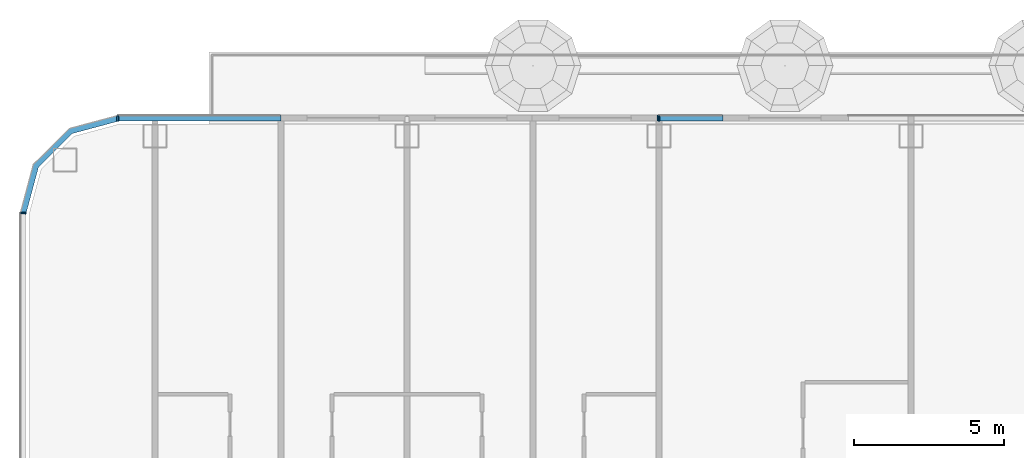
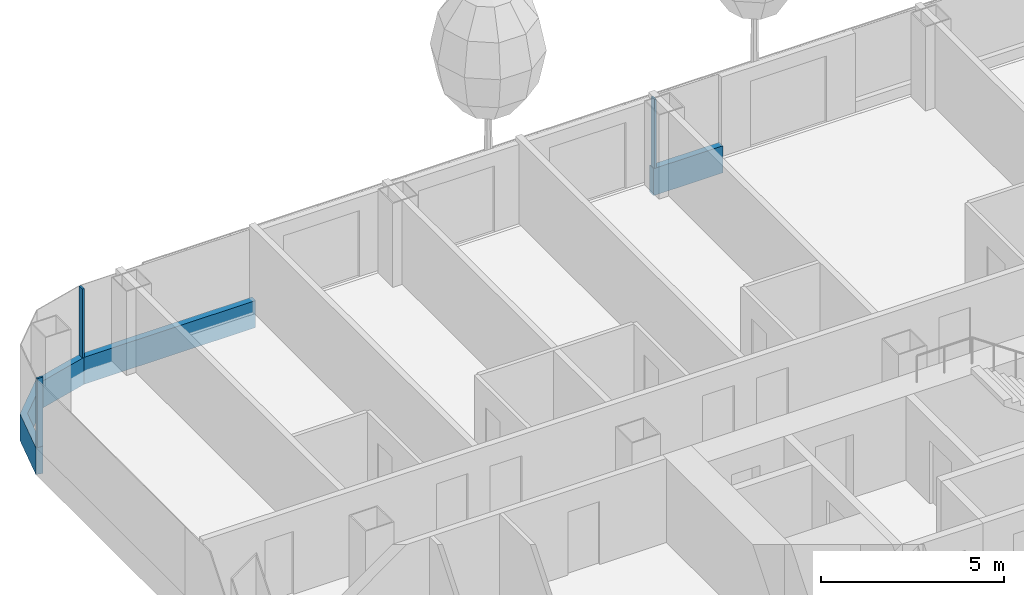
# One storey, part 5 of 34: 6 members, 3 elements without a shape of their own.
"""IFC4 building model written with IfcOpenShell, lengths in metres."""

from ifc_helpers import new_model, si_unit, direction, frame, origin, origin_2d, place, context, subcontext, project, spatial, polyline, rectangle, outline, extrude, material, layer, layer_set, material_profile, profile_set, type_object, element, aggregate, save


model = new_model("IFC4")

# Units and contexts
model_context = context("Model", 3, precision=1e-05, world=origin(), true_north=direction((0.0, 1.0)))
body_context = subcontext(model_context, "Body", "Model", "MODEL_VIEW")
ifc_project = project(units=[si_unit("LENGTHUNIT", "METRE"), si_unit("AREAUNIT", "SQUARE_METRE"), si_unit("VOLUMEUNIT", "CUBIC_METRE"), si_unit("PLANEANGLEUNIT", "RADIAN"), si_unit("MASSUNIT", "GRAM", prefix="KILO")], contexts=[model_context])

# Site, building, storey
site_placement = place(None, origin())
site = spatial("IfcSite", under=ifc_project, at=site_placement, CompositionType="ELEMENT")
building_placement = place(site_placement, origin())
building = spatial("IfcBuilding", under=site, at=building_placement, Name="Hakoniwa Tower and Hamabe Station Hall", CompositionType="ELEMENT")
storey_placement = place(building_placement, frame((0.0, 0.0, 94.60009765625)))
storey = spatial("IfcBuildingStorey", under=building, at=storey_placement, Name="L26", CompositionType="ELEMENT", Elevation=94.60009765625)

# Curtain wall, members
ifc_material_1 = material(Name="Dark low-e laminated glass", Category="glass")
ifc_layer = layer(ifc_material_1, 0.199951171875)
ifc_layer_set = layer_set([ifc_layer], Name="CW-1 UNITISED GUEST")
curtain_wall_type = type_object("IfcCurtainWallType", Name="CW-1 UNITISED GUEST", PredefinedType="NOTDEFINED", material=ifc_layer_set)
curtain_wall_1_placement = place(storey_placement, origin())
curtain_wall_1 = element("IfcCurtainWall", 1, at=curtain_wall_1_placement, inside=storey, type_object=curtain_wall_type, Name="CW-1 curtain wall", PredefinedType="NOTDEFINED")
ifc_material_2 = material(Name="Aluminium 6063-T5 black anodised", Category="aluminium")
ifc_material_profile_1 = material_profile(ifc_material_2, rectangle(XDim=0.199951171875, YDim=0.89990234375, at=origin_2d()), Name="CW SLAB-EDGE BAND 900X200")
ifc_profile_set_1 = profile_set([ifc_material_profile_1], Name="Aluminium 6063-T5 black anodised")
member_type_1 = type_object("IfcMemberType", Name="CW SLAB-EDGE BAND 900X200", PredefinedType="USERDEFINED", material=ifc_profile_set_1)
member_1_placement = place(storey_placement, frame((-23.070068359375, 23.449951171875, -0.10009765625), z_axis=(-1.0, 0.0, 0.0), x_axis=(0.0, -1.0, 0.0)))
member_1 = element("IfcMember", 2, at=member_1_placement, type_object=member_type_1, Name="CW-1 transom", ObjectType="TRANSOM", PredefinedType="USERDEFINED", context=body_context, shape_type="SweptSolid", body=[
    extrude(rectangle(XDim=0.199951171875, YDim=0.89990234375, at=origin_2d()), origin(), (0.0, 0.0, 1.0), 2.18994140625),
])
member_2_placement = place(storey_placement, frame((-37.800048828125, 23.449951171875, -0.10009765625), z_axis=(-1.0, 0.0, 0.0), x_axis=(0.0, -1.0, 0.0)))
member_2 = element("IfcMember", 3, at=member_2_placement, type_object=member_type_1, Name="CW-1 transom", ObjectType="TRANSOM", PredefinedType="USERDEFINED", context=body_context, shape_type="SweptSolid", body=[
    extrude(rectangle(XDim=0.199951171875, YDim=0.89990234375, at=origin_2d()), origin(), (0.0, 0.0, 1.0), 5.439453125),
])

# Curtain wall, member
curtain_wall_2_placement = place(storey_placement, origin())
curtain_wall_2 = element("IfcCurtainWall", 4, at=curtain_wall_2_placement, inside=storey, type_object=curtain_wall_type, Name="CW-1 curtain wall", PredefinedType="NOTDEFINED")
member_3_placement = place(storey_placement, frame((0.0, 0.0, -0.550048828125)))
member_3 = element("IfcMember", 5, at=member_3_placement, type_object=member_type_1, Name="CW-1 transom", ObjectType="TRANSOM", PredefinedType="USERDEFINED", context=body_context, shape_type="SweptSolid", body=[
    extrude(outline(polyline([(-43.239501953125, 23.550048828125), (-44.855224609375, 23.116943359375), (-46.067138671875, 21.9052734375), (-46.5, 20.28955078125), (-46.306884765625, 20.23779296875), (-45.8876953125, 21.8017578125), (-44.751708984375, 22.937744140625), (-43.187744140625, 23.35693359375), (-43.239501953125, 23.550048828125)])), origin(), (0.0, 0.0, 1.0), 0.89990234375),
])
aggregate(curtain_wall_2, [member_3])

# Member
ifc_material_3 = material(Name="Aluminium 6063-T5 black anodised", Category="aluminium")
ifc_material_profile_2 = material_profile(ifc_material_3, rectangle(XDim=0.06005859375, YDim=0.179931640625, at=origin_2d()), Name="CW-1 MULLION 60X180")
ifc_profile_set_2 = profile_set([ifc_material_profile_2], Name="Aluminium 6063-T5 black anodised")
member_type_2 = type_object("IfcMemberType", Name="CW-1 MULLION 60X180", PredefinedType="MULLION", material=ifc_profile_set_2)
member_4_placement = place(storey_placement, frame((-25.199951171875, 23.431884765625, 0.349853515625), z_axis=(0.0, 0.0, 1.0), x_axis=(-1.0, 0.0, 0.0)))
member_4 = element("IfcMember", 6, at=member_4_placement, type_object=member_type_2, Name="CW-1 mullion", PredefinedType="MULLION", context=body_context, shape_type="SweptSolid", body=[
    extrude(rectangle(XDim=0.06005859375, YDim=0.179931640625, at=origin_2d()), origin(), (0.0, 0.0, 1.0), 2.300048828125),
])

member_5_placement = place(storey_placement, frame((-43.239501953125, 23.431884765625, 0.349853515625), z_axis=(0.0, 0.0, 1.0), x_axis=(-1.0, 0.0, 0.0)))
member_5 = element("IfcMember", 7, at=member_5_placement, type_object=member_type_2, Name="CW-1 mullion", PredefinedType="MULLION", context=body_context, shape_type="SweptSolid", body=[
    extrude(rectangle(XDim=0.06005859375, YDim=0.179931640625, at=origin_2d()), origin(), (0.0, 0.0, 1.0), 2.300048828125),
])

aggregate(curtain_wall_1, [member_4, member_5, member_1, member_2])

# Curtain wall, member
curtain_wall_3_placement = place(storey_placement, origin())
curtain_wall_3 = element("IfcCurtainWall", 8, at=curtain_wall_3_placement, inside=storey, type_object=curtain_wall_type, Name="CW-1 curtain wall", PredefinedType="NOTDEFINED")
member_6_placement = place(storey_placement, frame((-46.382080078125, 20.28955078125, 0.349853515625), z_axis=(0.0, 0.0, 1.0), x_axis=(0.0, -1.0, 0.0)))
member_6 = element("IfcMember", 9, at=member_6_placement, type_object=member_type_2, Name="CW-1 mullion", PredefinedType="MULLION", context=body_context, shape_type="SweptSolid", body=[
    extrude(rectangle(XDim=0.06005859375, YDim=0.179931640625, at=origin_2d()), origin(), (0.0, 0.0, 1.0), 2.300048828125),
])
aggregate(curtain_wall_3, [member_6])

save(model, "model.ifc")
